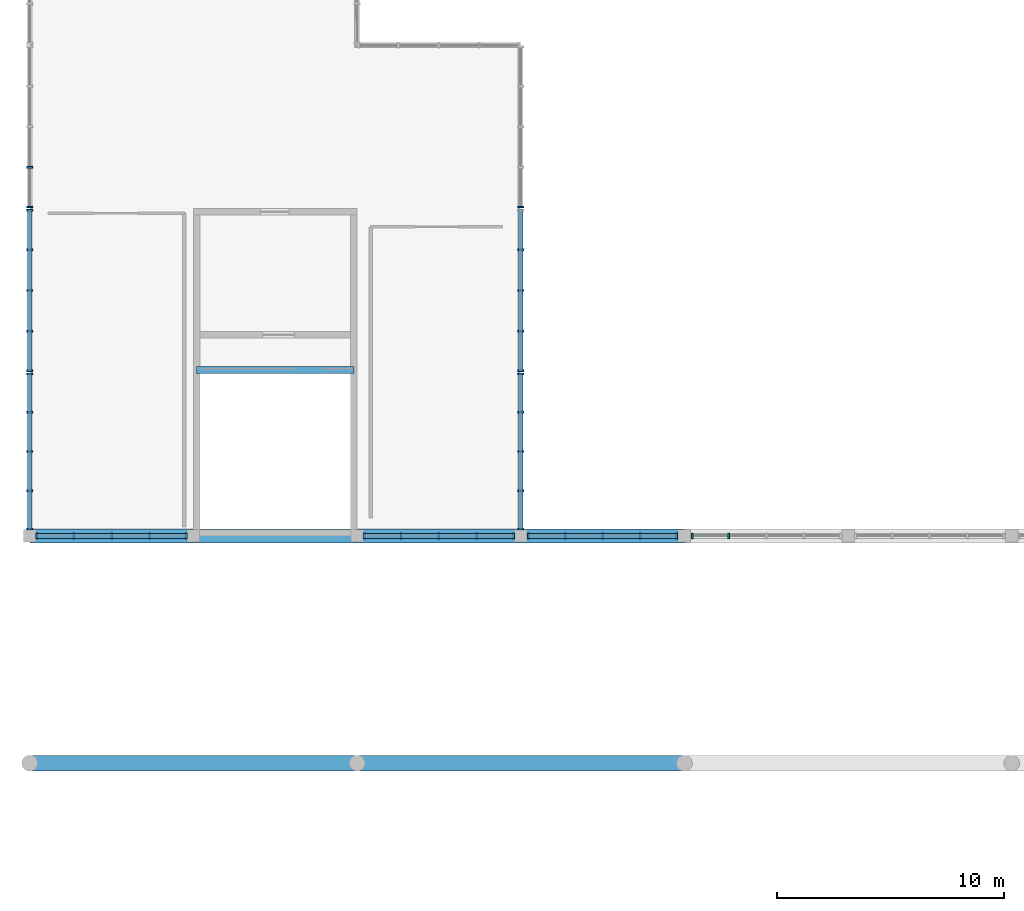
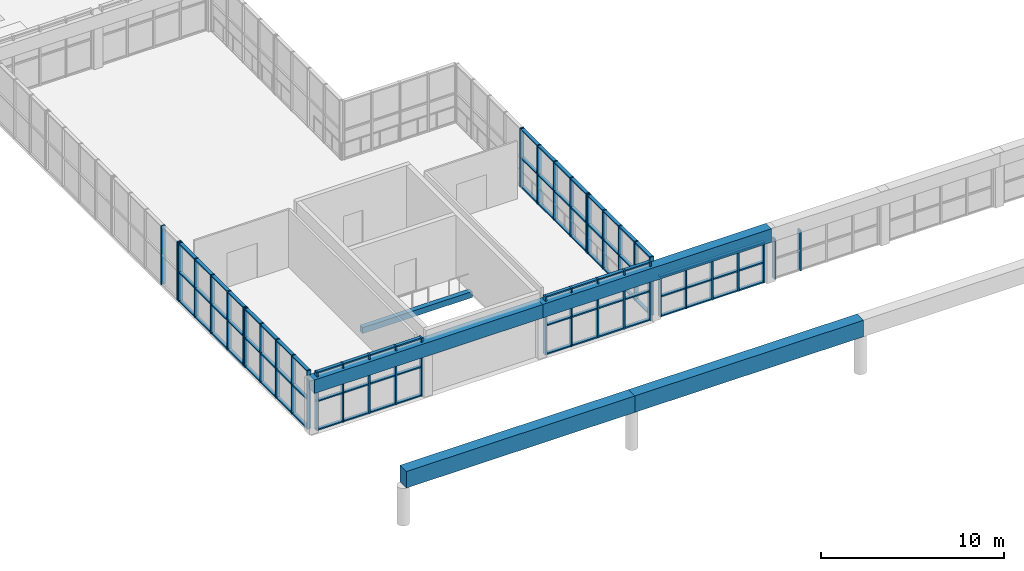
# One storey, part 7 of 83: 60 members, 5 beams, 10 elements without a shape of their own.
"""IFC4 building model written with IfcOpenShell, lengths in metres."""

from ifc_helpers import new_model, si_unit, direction, frame, origin, origin_2d, place, context, subcontext, project, spatial, rectangle, extrude, material, material_profile, profile_set, type_object, element, aggregate, save


model = new_model("IFC4")

# Units and contexts
model_context = context("Model", 3, precision=1e-05, world=origin(), true_north=direction((0.0, 1.0)))
body_context = subcontext(model_context, "Body", "Model", "MODEL_VIEW")
ifc_project = project(units=[si_unit("LENGTHUNIT", "METRE"), si_unit("AREAUNIT", "SQUARE_METRE"), si_unit("VOLUMEUNIT", "CUBIC_METRE"), si_unit("PLANEANGLEUNIT", "RADIAN"), si_unit("MASSUNIT", "GRAM", prefix="KILO")], contexts=[model_context])

# Site, building, storey
site_placement = place(None, origin())
site = spatial("IfcSite", under=ifc_project, at=site_placement, CompositionType="ELEMENT")
building_placement = place(site_placement, origin())
building = spatial("IfcBuilding", under=site, at=building_placement, Name="Leyfeld Transit Interchange", CompositionType="ELEMENT")
storey_placement = place(building_placement, frame((0.0, 0.0, 5.39990234375)))
storey = spatial("IfcBuildingStorey", under=building, at=storey_placement, Name="L01", CompositionType="ELEMENT", Elevation=5.39990234375)

# Beams
ifc_material_1 = material(Name="Concrete C40/50", Category="concrete")
ifc_material_profile_1 = material_profile(ifc_material_1, rectangle(XDim=0.699951171875, YDim=1.10009765625, at=origin_2d()), Name="RC 1100x700")
ifc_profile_set_1 = profile_set([ifc_material_profile_1], Name="Concrete C40/50")
beam_type_1 = type_object("IfcBeamType", Name="BM-RC-1100x700", PredefinedType="SPANDREL", material=ifc_profile_set_1)
beam_1_placement = place(storey_placement, frame((0.0, 4.39990234375, 3.050048828125), z_axis=(1.0, 0.0, 0.0), x_axis=(0.0, 1.0, 0.0)))
element("IfcBeam", 1, at=beam_1_placement, inside=storey, type_object=beam_type_1, Name="Concourse Vault Edge Beam S Bay 1", PredefinedType="SPANDREL", context=body_context, shape_type="SweptSolid", body=[
    extrude(rectangle(XDim=0.699951171875, YDim=1.10009765625, at=origin_2d()), origin(), (0.0, 0.0, 1.0), 14.39990234375),
])
beam_2_placement = place(storey_placement, frame((14.39990234375, 4.39990234375, 3.050048828125), z_axis=(1.0, 0.0, 0.0), x_axis=(0.0, 1.0, 0.0)))
element("IfcBeam", 2, at=beam_2_placement, inside=storey, type_object=beam_type_1, Name="Concourse Vault Edge Beam S Bay 2", PredefinedType="SPANDREL", context=body_context, shape_type="SweptSolid", body=[
    extrude(rectangle(XDim=0.699951171875, YDim=1.10009765625, at=origin_2d()), origin(), (0.0, 0.0, 1.0), 14.400146484375),
])
ifc_material_2 = material(Name="Concrete C35/45", Category="concrete")
ifc_material_profile_2 = material_profile(ifc_material_2, rectangle(XDim=0.300048828125, YDim=0.39990234375, at=origin_2d()), Name="RC 400x300")
ifc_profile_set_2 = profile_set([ifc_material_profile_2], Name="Concrete C35/45")
beam_type_2 = type_object("IfcBeamType", Name="BM-RC-400x300", PredefinedType="LINTEL", material=ifc_profile_set_2)
beam_3_placement = place(storey_placement, frame((7.340087890625, 21.699951171875, -0.199951171875), z_axis=(1.0, 0.0, 0.0), x_axis=(0.0, 1.0, 0.0)))
element("IfcBeam", 3, at=beam_3_placement, inside=storey, type_object=beam_type_2, Name="Core K6 Floor Landing Corbel L01", PredefinedType="LINTEL", context=body_context, shape_type="SweptSolid", body=[
    extrude(rectangle(XDim=0.300048828125, YDim=0.39990234375, at=origin_2d()), origin(), (0.0, 0.0, 1.0), 6.919921875),
])
ifc_material_profile_3 = material_profile(ifc_material_2, rectangle(XDim=0.60009765625, YDim=0.89990234375, at=origin_2d()), Name="RC 900x600")
ifc_profile_set_3 = profile_set([ifc_material_profile_3], Name="Concrete C35/45")
beam_type_3 = type_object("IfcBeamType", Name="BM-RC-900x600", PredefinedType="JOIST", material=ifc_profile_set_3)
beam_4_placement = place(storey_placement, frame((0.0, 14.39990234375, 3.150146484375), z_axis=(1.0, 0.0, 0.0), x_axis=(0.0, 1.0, 0.0)))
element("IfcBeam", 4, at=beam_4_placement, inside=storey, type_object=beam_type_3, Name="Concourse Hall Flank Beam HS Bay 1", PredefinedType="JOIST", context=body_context, shape_type="SweptSolid", body=[
    extrude(rectangle(XDim=0.60009765625, YDim=0.89990234375, at=origin_2d()), origin(), (0.0, 0.0, 1.0), 14.39990234375),
])
beam_5_placement = place(storey_placement, frame((14.39990234375, 14.39990234375, 3.150146484375), z_axis=(1.0, 0.0, 0.0), x_axis=(0.0, 1.0, 0.0)))
element("IfcBeam", 5, at=beam_5_placement, inside=storey, type_object=beam_type_3, Name="Concourse Hall Flank Beam HS Bay 2", PredefinedType="JOIST", context=body_context, shape_type="SweptSolid", body=[
    extrude(rectangle(XDim=0.60009765625, YDim=0.89990234375, at=origin_2d()), origin(), (0.0, 0.0, 1.0), 14.400146484375),
])

# Curtain wall, members
ifc_material_3 = material(Name="Anodised aluminium EN AW-6060 T66", Category="aluminium")
curtain_wall_type = type_object("IfcCurtainWallType", Name="CW-SYS-ARC-7200", PredefinedType="NOTDEFINED", material=ifc_material_3)
curtain_wall_1_placement = place(storey_placement, origin())
curtain_wall_1 = element("IfcCurtainWall", 6, at=curtain_wall_1_placement, inside=storey, type_object=curtain_wall_type, Name="Curtain Wall CW-L01-051", PredefinedType="NOTDEFINED")
ifc_material_profile_4 = material_profile(ifc_material_3, rectangle(XDim=0.0849609375, YDim=0.260009765625, at=origin_2d()), Name="CW-M 85x260")
ifc_profile_set_4 = profile_set([ifc_material_profile_4], Name="Anodised aluminium EN AW-6060 T66")
member_type_1 = type_object("IfcMemberType", Name="CW-MUL-220x80", PredefinedType="MULLION", material=ifc_profile_set_4)
member_1_placement = place(storey_placement, frame((6.892578125, 14.39990234375, 0.0), z_axis=(0.0, 0.0, 1.0), x_axis=(-1.0, 0.0, 0.0)))
member_1 = element("IfcMember", 7, at=member_1_placement, type_object=member_type_1, Name="Curtain Mullion CW-L01-051-M01", PredefinedType="MULLION", context=body_context, shape_type="SweptSolid", body=[
    extrude(rectangle(XDim=0.0849609375, YDim=0.260009765625, at=origin_2d()), origin(), (0.0, 0.0, 1.0), 3.900146484375),
])
member_2_placement = place(storey_placement, frame((5.267578125, 14.39990234375, 0.0), z_axis=(0.0, 0.0, 1.0), x_axis=(-1.0, 0.0, 0.0)))
member_2 = element("IfcMember", 8, at=member_2_placement, type_object=member_type_1, Name="Curtain Mullion CW-L01-051-M02", PredefinedType="MULLION", context=body_context, shape_type="SweptSolid", body=[
    extrude(rectangle(XDim=0.0849609375, YDim=0.260009765625, at=origin_2d()), origin(), (0.0, 0.0, 1.0), 3.900146484375),
])
member_3_placement = place(storey_placement, frame((3.60009765625, 14.39990234375, 0.0), z_axis=(0.0, 0.0, 1.0), x_axis=(-1.0, 0.0, 0.0)))
member_3 = element("IfcMember", 9, at=member_3_placement, type_object=member_type_1, Name="Curtain Mullion CW-L01-051-M03", PredefinedType="MULLION", context=body_context, shape_type="SweptSolid", body=[
    extrude(rectangle(XDim=0.0849609375, YDim=0.260009765625, at=origin_2d()), origin(), (0.0, 0.0, 1.0), 3.900146484375),
])
member_4_placement = place(storey_placement, frame((1.9326171875, 14.39990234375, 0.0), z_axis=(0.0, 0.0, 1.0), x_axis=(-1.0, 0.0, 0.0)))
member_4 = element("IfcMember", 10, at=member_4_placement, type_object=member_type_1, Name="Curtain Mullion CW-L01-051-M04", PredefinedType="MULLION", context=body_context, shape_type="SweptSolid", body=[
    extrude(rectangle(XDim=0.0849609375, YDim=0.260009765625, at=origin_2d()), origin(), (0.0, 0.0, 1.0), 3.900146484375),
])
member_5_placement = place(storey_placement, frame((0.3076171875, 14.39990234375, 0.0), z_axis=(0.0, 0.0, 1.0), x_axis=(-1.0, 0.0, 0.0)))
member_5 = element("IfcMember", 11, at=member_5_placement, type_object=member_type_1, Name="Curtain Mullion CW-L01-051-M05", PredefinedType="MULLION", context=body_context, shape_type="SweptSolid", body=[
    extrude(rectangle(XDim=0.0849609375, YDim=0.260009765625, at=origin_2d()), origin(), (0.0, 0.0, 1.0), 3.900146484375),
])

curtain_wall_2_placement = place(storey_placement, origin())
curtain_wall_2 = element("IfcCurtainWall", 12, at=curtain_wall_2_placement, inside=storey, type_object=curtain_wall_type, Name="Curtain Wall CW-L01-052", PredefinedType="NOTDEFINED")
member_6_placement = place(storey_placement, frame((0.0, 14.70751953125, 0.0), z_axis=(0.0, 0.0, 1.0), x_axis=(0.0, 1.0, 0.0)))
member_6 = element("IfcMember", 13, at=member_6_placement, type_object=member_type_1, Name="Curtain Mullion CW-L01-052-M01", PredefinedType="MULLION", context=body_context, shape_type="SweptSolid", body=[
    extrude(rectangle(XDim=0.0849609375, YDim=0.260009765625, at=origin_2d()), origin(), (0.0, 0.0, 1.0), 3.900146484375),
])
member_7_placement = place(storey_placement, frame((0.0, 16.391357421875, 0.0), z_axis=(0.0, 0.0, 1.0), x_axis=(0.0, 1.0, 0.0)))
member_7 = element("IfcMember", 14, at=member_7_placement, type_object=member_type_1, Name="Curtain Mullion CW-L01-052-M02", PredefinedType="MULLION", context=body_context, shape_type="SweptSolid", body=[
    extrude(rectangle(XDim=0.0849609375, YDim=0.260009765625, at=origin_2d()), origin(), (0.0, 0.0, 1.0), 3.900146484375),
])
member_8_placement = place(storey_placement, frame((0.0, 18.117431640625, 0.0), z_axis=(0.0, 0.0, 1.0), x_axis=(0.0, 1.0, 0.0)))
member_8 = element("IfcMember", 15, at=member_8_placement, type_object=member_type_1, Name="Curtain Mullion CW-L01-052-M03", PredefinedType="MULLION", context=body_context, shape_type="SweptSolid", body=[
    extrude(rectangle(XDim=0.0849609375, YDim=0.260009765625, at=origin_2d()), origin(), (0.0, 0.0, 1.0), 3.900146484375),
])
member_9_placement = place(storey_placement, frame((0.0, 19.84375, 0.0), z_axis=(0.0, 0.0, 1.0), x_axis=(0.0, 1.0, 0.0)))
member_9 = element("IfcMember", 16, at=member_9_placement, type_object=member_type_1, Name="Curtain Mullion CW-L01-052-M04", PredefinedType="MULLION", context=body_context, shape_type="SweptSolid", body=[
    extrude(rectangle(XDim=0.0849609375, YDim=0.260009765625, at=origin_2d()), origin(), (0.0, 0.0, 1.0), 3.900146484375),
])
member_10_placement = place(storey_placement, frame((0.0, 21.527587890625, 0.0), z_axis=(0.0, 0.0, 1.0), x_axis=(0.0, 1.0, 0.0)))
member_10 = element("IfcMember", 17, at=member_10_placement, type_object=member_type_1, Name="Curtain Mullion CW-L01-052-M05", PredefinedType="MULLION", context=body_context, shape_type="SweptSolid", body=[
    extrude(rectangle(XDim=0.0849609375, YDim=0.260009765625, at=origin_2d()), origin(), (0.0, 0.0, 1.0), 3.900146484375),
])

curtain_wall_3_placement = place(storey_placement, origin())
curtain_wall_3 = element("IfcCurtainWall", 18, at=curtain_wall_3_placement, inside=storey, type_object=curtain_wall_type, Name="Curtain Wall CW-L01-053", PredefinedType="NOTDEFINED")
member_11_placement = place(storey_placement, frame((0.0, 21.672607421875, 0.0), z_axis=(0.0, 0.0, 1.0), x_axis=(0.0, 1.0, 0.0)))
member_11 = element("IfcMember", 19, at=member_11_placement, type_object=member_type_1, Name="Curtain Mullion CW-L01-053-M01", PredefinedType="MULLION", context=body_context, shape_type="SweptSolid", body=[
    extrude(rectangle(XDim=0.0849609375, YDim=0.260009765625, at=origin_2d()), origin(), (0.0, 0.0, 1.0), 3.900146484375),
])
member_12_placement = place(storey_placement, frame((0.0, 23.4150390625, 0.0), z_axis=(0.0, 0.0, 1.0), x_axis=(0.0, 1.0, 0.0)))
member_12 = element("IfcMember", 20, at=member_12_placement, type_object=member_type_1, Name="Curtain Mullion CW-L01-053-M02", PredefinedType="MULLION", context=body_context, shape_type="SweptSolid", body=[
    extrude(rectangle(XDim=0.0849609375, YDim=0.260009765625, at=origin_2d()), origin(), (0.0, 0.0, 1.0), 3.900146484375),
])
member_13_placement = place(storey_placement, frame((0.0, 25.199951171875, 0.0), z_axis=(0.0, 0.0, 1.0), x_axis=(0.0, 1.0, 0.0)))
member_13 = element("IfcMember", 21, at=member_13_placement, type_object=member_type_1, Name="Curtain Mullion CW-L01-053-M03", PredefinedType="MULLION", context=body_context, shape_type="SweptSolid", body=[
    extrude(rectangle(XDim=0.0849609375, YDim=0.260009765625, at=origin_2d()), origin(), (0.0, 0.0, 1.0), 3.900146484375),
])
member_14_placement = place(storey_placement, frame((0.0, 26.985107421875, 0.0), z_axis=(0.0, 0.0, 1.0), x_axis=(0.0, 1.0, 0.0)))
member_14 = element("IfcMember", 22, at=member_14_placement, type_object=member_type_1, Name="Curtain Mullion CW-L01-053-M04", PredefinedType="MULLION", context=body_context, shape_type="SweptSolid", body=[
    extrude(rectangle(XDim=0.0849609375, YDim=0.260009765625, at=origin_2d()), origin(), (0.0, 0.0, 1.0), 3.900146484375),
])
member_15_placement = place(storey_placement, frame((0.0, 28.7275390625, 0.0), z_axis=(0.0, 0.0, 1.0), x_axis=(0.0, 1.0, 0.0)))
member_15 = element("IfcMember", 23, at=member_15_placement, type_object=member_type_1, Name="Curtain Mullion CW-L01-053-M05", PredefinedType="MULLION", context=body_context, shape_type="SweptSolid", body=[
    extrude(rectangle(XDim=0.0849609375, YDim=0.260009765625, at=origin_2d()), origin(), (0.0, 0.0, 1.0), 3.900146484375),
])

curtain_wall_4_placement = place(storey_placement, origin())
curtain_wall_4 = element("IfcCurtainWall", 24, at=curtain_wall_4_placement, inside=storey, type_object=curtain_wall_type, Name="Curtain Wall CW-L01-054", PredefinedType="NOTDEFINED")
member_16_placement = place(storey_placement, frame((0.0, 28.87255859375, 0.0), z_axis=(0.0, 0.0, 1.0), x_axis=(0.0, 1.0, 0.0)))
member_16 = element("IfcMember", 25, at=member_16_placement, type_object=member_type_1, Name="Curtain Mullion CW-L01-054-M01", PredefinedType="MULLION", context=body_context, shape_type="SweptSolid", body=[
    extrude(rectangle(XDim=0.0849609375, YDim=0.260009765625, at=origin_2d()), origin(), (0.0, 0.0, 1.0), 3.900146484375),
])
member_17_placement = place(storey_placement, frame((0.0, 30.614990234375, 0.0), z_axis=(0.0, 0.0, 1.0), x_axis=(0.0, 1.0, 0.0)))
member_17 = element("IfcMember", 26, at=member_17_placement, type_object=member_type_1, Name="Curtain Mullion CW-L01-054-M02", PredefinedType="MULLION", context=body_context, shape_type="SweptSolid", body=[
    extrude(rectangle(XDim=0.0849609375, YDim=0.260009765625, at=origin_2d()), origin(), (0.0, 0.0, 1.0), 3.900146484375),
])
aggregate(curtain_wall_4, [member_16, member_17])

# Curtain wall, member
curtain_wall_5_placement = place(storey_placement, origin())
curtain_wall_5 = element("IfcCurtainWall", 27, at=curtain_wall_5_placement, inside=storey, type_object=curtain_wall_type, Name="Curtain Wall CW-L01-062", PredefinedType="NOTDEFINED")
member_18_placement = place(storey_placement, frame((21.60009765625, 28.87255859375, 0.0), z_axis=(0.0, 0.0, 1.0), x_axis=(0.0, -1.0, 0.0)))
member_18 = element("IfcMember", 28, at=member_18_placement, type_object=member_type_1, Name="Curtain Mullion CW-L01-062-M05", PredefinedType="MULLION", context=body_context, shape_type="SweptSolid", body=[
    extrude(rectangle(XDim=0.0849609375, YDim=0.260009765625, at=origin_2d()), origin(), (0.0, 0.0, 1.0), 3.900146484375),
])
aggregate(curtain_wall_5, [member_18])

# Curtain wall, members
curtain_wall_6_placement = place(storey_placement, origin())
curtain_wall_6 = element("IfcCurtainWall", 29, at=curtain_wall_6_placement, inside=storey, type_object=curtain_wall_type, Name="Curtain Wall CW-L01-063", PredefinedType="NOTDEFINED")
member_19_placement = place(storey_placement, frame((21.60009765625, 26.985107421875, 0.0), z_axis=(0.0, 0.0, 1.0), x_axis=(0.0, -1.0, 0.0)))
member_19 = element("IfcMember", 30, at=member_19_placement, type_object=member_type_1, Name="Curtain Mullion CW-L01-063-M02", PredefinedType="MULLION", context=body_context, shape_type="SweptSolid", body=[
    extrude(rectangle(XDim=0.0849609375, YDim=0.260009765625, at=origin_2d()), origin(), (0.0, 0.0, 1.0), 3.900146484375),
])
member_20_placement = place(storey_placement, frame((21.60009765625, 25.199951171875, 0.0), z_axis=(0.0, 0.0, 1.0), x_axis=(0.0, -1.0, 0.0)))
member_20 = element("IfcMember", 31, at=member_20_placement, type_object=member_type_1, Name="Curtain Mullion CW-L01-063-M03", PredefinedType="MULLION", context=body_context, shape_type="SweptSolid", body=[
    extrude(rectangle(XDim=0.0849609375, YDim=0.260009765625, at=origin_2d()), origin(), (0.0, 0.0, 1.0), 3.900146484375),
])
member_21_placement = place(storey_placement, frame((21.60009765625, 23.4150390625, 0.0), z_axis=(0.0, 0.0, 1.0), x_axis=(0.0, -1.0, 0.0)))
member_21 = element("IfcMember", 32, at=member_21_placement, type_object=member_type_1, Name="Curtain Mullion CW-L01-063-M04", PredefinedType="MULLION", context=body_context, shape_type="SweptSolid", body=[
    extrude(rectangle(XDim=0.0849609375, YDim=0.260009765625, at=origin_2d()), origin(), (0.0, 0.0, 1.0), 3.900146484375),
])
member_22_placement = place(storey_placement, frame((21.60009765625, 21.672607421875, 0.0), z_axis=(0.0, 0.0, 1.0), x_axis=(0.0, -1.0, 0.0)))
member_22 = element("IfcMember", 33, at=member_22_placement, type_object=member_type_1, Name="Curtain Mullion CW-L01-063-M05", PredefinedType="MULLION", context=body_context, shape_type="SweptSolid", body=[
    extrude(rectangle(XDim=0.0849609375, YDim=0.260009765625, at=origin_2d()), origin(), (0.0, 0.0, 1.0), 3.900146484375),
])

curtain_wall_7_placement = place(storey_placement, origin())
curtain_wall_7 = element("IfcCurtainWall", 34, at=curtain_wall_7_placement, inside=storey, type_object=curtain_wall_type, Name="Curtain Wall CW-L01-064", PredefinedType="NOTDEFINED")
member_23_placement = place(storey_placement, frame((21.60009765625, 21.527587890625, 0.0), z_axis=(0.0, 0.0, 1.0), x_axis=(0.0, -1.0, 0.0)))
member_23 = element("IfcMember", 35, at=member_23_placement, type_object=member_type_1, Name="Curtain Mullion CW-L01-064-M01", PredefinedType="MULLION", context=body_context, shape_type="SweptSolid", body=[
    extrude(rectangle(XDim=0.0849609375, YDim=0.260009765625, at=origin_2d()), origin(), (0.0, 0.0, 1.0), 3.900146484375),
])
member_24_placement = place(storey_placement, frame((21.60009765625, 19.84375, 0.0), z_axis=(0.0, 0.0, 1.0), x_axis=(0.0, -1.0, 0.0)))
member_24 = element("IfcMember", 36, at=member_24_placement, type_object=member_type_1, Name="Curtain Mullion CW-L01-064-M02", PredefinedType="MULLION", context=body_context, shape_type="SweptSolid", body=[
    extrude(rectangle(XDim=0.0849609375, YDim=0.260009765625, at=origin_2d()), origin(), (0.0, 0.0, 1.0), 3.900146484375),
])
member_25_placement = place(storey_placement, frame((21.60009765625, 18.117431640625, 0.0), z_axis=(0.0, 0.0, 1.0), x_axis=(0.0, -1.0, 0.0)))
member_25 = element("IfcMember", 37, at=member_25_placement, type_object=member_type_1, Name="Curtain Mullion CW-L01-064-M03", PredefinedType="MULLION", context=body_context, shape_type="SweptSolid", body=[
    extrude(rectangle(XDim=0.0849609375, YDim=0.260009765625, at=origin_2d()), origin(), (0.0, 0.0, 1.0), 3.900146484375),
])
member_26_placement = place(storey_placement, frame((21.60009765625, 16.39111328125, 0.0), z_axis=(0.0, 0.0, 1.0), x_axis=(0.0, -1.0, 0.0)))
member_26 = element("IfcMember", 38, at=member_26_placement, type_object=member_type_1, Name="Curtain Mullion CW-L01-064-M04", PredefinedType="MULLION", context=body_context, shape_type="SweptSolid", body=[
    extrude(rectangle(XDim=0.0849609375, YDim=0.260009765625, at=origin_2d()), origin(), (0.0, 0.0, 1.0), 3.900146484375),
])
member_27_placement = place(storey_placement, frame((21.60009765625, 14.70751953125, 0.0), z_axis=(0.0, 0.0, 1.0), x_axis=(0.0, -1.0, 0.0)))
member_27 = element("IfcMember", 39, at=member_27_placement, type_object=member_type_1, Name="Curtain Mullion CW-L01-064-M05", PredefinedType="MULLION", context=body_context, shape_type="SweptSolid", body=[
    extrude(rectangle(XDim=0.0849609375, YDim=0.260009765625, at=origin_2d()), origin(), (0.0, 0.0, 1.0), 3.900146484375),
])

curtain_wall_8_placement = place(storey_placement, origin())
curtain_wall_8 = element("IfcCurtainWall", 40, at=curtain_wall_8_placement, inside=storey, type_object=curtain_wall_type, Name="Curtain Wall CW-L01-065", PredefinedType="NOTDEFINED")
member_28_placement = place(storey_placement, frame((21.29248046875, 14.39990234375, 0.0), z_axis=(0.0, 0.0, 1.0), x_axis=(-1.0, 0.0, 0.0)))
member_28 = element("IfcMember", 41, at=member_28_placement, type_object=member_type_1, Name="Curtain Mullion CW-L01-065-M01", PredefinedType="MULLION", context=body_context, shape_type="SweptSolid", body=[
    extrude(rectangle(XDim=0.0849609375, YDim=0.260009765625, at=origin_2d()), origin(), (0.0, 0.0, 1.0), 3.900146484375),
])
member_29_placement = place(storey_placement, frame((19.66748046875, 14.39990234375, 0.0), z_axis=(0.0, 0.0, 1.0), x_axis=(-1.0, 0.0, 0.0)))
member_29 = element("IfcMember", 42, at=member_29_placement, type_object=member_type_1, Name="Curtain Mullion CW-L01-065-M02", PredefinedType="MULLION", context=body_context, shape_type="SweptSolid", body=[
    extrude(rectangle(XDim=0.0849609375, YDim=0.260009765625, at=origin_2d()), origin(), (0.0, 0.0, 1.0), 3.900146484375),
])
member_30_placement = place(storey_placement, frame((18.0, 14.39990234375, 0.0), z_axis=(0.0, 0.0, 1.0), x_axis=(-1.0, 0.0, 0.0)))
member_30 = element("IfcMember", 43, at=member_30_placement, type_object=member_type_1, Name="Curtain Mullion CW-L01-065-M03", PredefinedType="MULLION", context=body_context, shape_type="SweptSolid", body=[
    extrude(rectangle(XDim=0.0849609375, YDim=0.260009765625, at=origin_2d()), origin(), (0.0, 0.0, 1.0), 3.900146484375),
])
member_31_placement = place(storey_placement, frame((16.33251953125, 14.39990234375, 0.0), z_axis=(0.0, 0.0, 1.0), x_axis=(-1.0, 0.0, 0.0)))
member_31 = element("IfcMember", 44, at=member_31_placement, type_object=member_type_1, Name="Curtain Mullion CW-L01-065-M04", PredefinedType="MULLION", context=body_context, shape_type="SweptSolid", body=[
    extrude(rectangle(XDim=0.0849609375, YDim=0.260009765625, at=origin_2d()), origin(), (0.0, 0.0, 1.0), 3.900146484375),
])
member_32_placement = place(storey_placement, frame((14.70751953125, 14.39990234375, 0.0), z_axis=(0.0, 0.0, 1.0), x_axis=(-1.0, 0.0, 0.0)))
member_32 = element("IfcMember", 45, at=member_32_placement, type_object=member_type_1, Name="Curtain Mullion CW-L01-065-M05", PredefinedType="MULLION", context=body_context, shape_type="SweptSolid", body=[
    extrude(rectangle(XDim=0.0849609375, YDim=0.260009765625, at=origin_2d()), origin(), (0.0, 0.0, 1.0), 3.900146484375),
])

curtain_wall_9_placement = place(storey_placement, origin())
curtain_wall_9 = element("IfcCurtainWall", 46, at=curtain_wall_9_placement, inside=storey, type_object=curtain_wall_type, Name="Curtain Wall CW-L01-CLR-152", PredefinedType="NOTDEFINED")
member_33_placement = place(storey_placement, frame((21.9423828125, 14.39990234375, 0.0), z_axis=(0.0, 0.0, 1.0), x_axis=(1.0, 0.0, 0.0)))
member_33 = element("IfcMember", 47, at=member_33_placement, type_object=member_type_1, Name="Curtain Mullion CW-L01-CLR-152-M01", PredefinedType="MULLION", context=body_context, shape_type="SweptSolid", body=[
    extrude(rectangle(XDim=0.0849609375, YDim=0.260009765625, at=origin_2d()), origin(), (0.0, 0.0, 1.0), 2.7001953125),
])
member_34_placement = place(storey_placement, frame((23.550048828125, 14.39990234375, 0.0), z_axis=(0.0, 0.0, 1.0), x_axis=(1.0, 0.0, 0.0)))
member_34 = element("IfcMember", 48, at=member_34_placement, type_object=member_type_1, Name="Curtain Mullion CW-L01-CLR-152-M02", PredefinedType="MULLION", context=body_context, shape_type="SweptSolid", body=[
    extrude(rectangle(XDim=0.0849609375, YDim=0.260009765625, at=origin_2d()), origin(), (0.0, 0.0, 1.0), 2.7001953125),
])
member_35_placement = place(storey_placement, frame((25.199951171875, 14.39990234375, 0.0), z_axis=(0.0, 0.0, 1.0), x_axis=(1.0, 0.0, 0.0)))
member_35 = element("IfcMember", 49, at=member_35_placement, type_object=member_type_1, Name="Curtain Mullion CW-L01-CLR-152-M03", PredefinedType="MULLION", context=body_context, shape_type="SweptSolid", body=[
    extrude(rectangle(XDim=0.0849609375, YDim=0.260009765625, at=origin_2d()), origin(), (0.0, 0.0, 1.0), 2.7001953125),
])
member_36_placement = place(storey_placement, frame((26.85009765625, 14.39990234375, 0.0), z_axis=(0.0, 0.0, 1.0), x_axis=(1.0, 0.0, 0.0)))
member_36 = element("IfcMember", 50, at=member_36_placement, type_object=member_type_1, Name="Curtain Mullion CW-L01-CLR-152-M04", PredefinedType="MULLION", context=body_context, shape_type="SweptSolid", body=[
    extrude(rectangle(XDim=0.0849609375, YDim=0.260009765625, at=origin_2d()), origin(), (0.0, 0.0, 1.0), 2.7001953125),
])
member_37_placement = place(storey_placement, frame((28.45751953125, 14.39990234375, 0.0), z_axis=(0.0, 0.0, 1.0), x_axis=(1.0, 0.0, 0.0)))
member_37 = element("IfcMember", 51, at=member_37_placement, type_object=member_type_1, Name="Curtain Mullion CW-L01-CLR-152-M05", PredefinedType="MULLION", context=body_context, shape_type="SweptSolid", body=[
    extrude(rectangle(XDim=0.0849609375, YDim=0.260009765625, at=origin_2d()), origin(), (0.0, 0.0, 1.0), 2.7001953125),
])

curtain_wall_10_placement = place(storey_placement, origin())
curtain_wall_10 = element("IfcCurtainWall", 52, at=curtain_wall_10_placement, inside=storey, type_object=curtain_wall_type, Name="Curtain Wall CW-L01-CLR-153", PredefinedType="NOTDEFINED")
member_38_placement = place(storey_placement, frame((29.142578125, 14.39990234375, 0.0), z_axis=(0.0, 0.0, 1.0), x_axis=(1.0, 0.0, 0.0)))
member_38 = element("IfcMember", 53, at=member_38_placement, type_object=member_type_1, Name="Curtain Mullion CW-L01-CLR-153-M01", PredefinedType="MULLION", context=body_context, shape_type="SweptSolid", body=[
    extrude(rectangle(XDim=0.0849609375, YDim=0.260009765625, at=origin_2d()), origin(), (0.0, 0.0, 1.0), 2.7001953125),
])
member_39_placement = place(storey_placement, frame((30.75, 14.39990234375, 0.0), z_axis=(0.0, 0.0, 1.0), x_axis=(1.0, 0.0, 0.0)))
member_39 = element("IfcMember", 54, at=member_39_placement, type_object=member_type_1, Name="Curtain Mullion CW-L01-CLR-153-M02", PredefinedType="MULLION", context=body_context, shape_type="SweptSolid", body=[
    extrude(rectangle(XDim=0.0849609375, YDim=0.260009765625, at=origin_2d()), origin(), (0.0, 0.0, 1.0), 2.7001953125),
])
aggregate(curtain_wall_10, [member_38, member_39])

# Member
ifc_material_profile_5 = material_profile(ifc_material_3, rectangle(XDim=0.2099609375, YDim=0.0849609375, at=origin_2d()), Name="CW-TRN-200x80")
ifc_profile_set_5 = profile_set([ifc_material_profile_5], Name="Anodised aluminium EN AW-6060 T66")
member_type_2 = type_object("IfcMemberType", Name="CW-TRN-200x80", PredefinedType="USERDEFINED", material=ifc_profile_set_5)
member_40_placement = place(storey_placement, frame((6.93505859375, 14.39990234375, 0.04248046875), z_axis=(-1.0, 0.0, 0.0), x_axis=(0.0, -1.0, 0.0)))
member_40 = element("IfcMember", 55, at=member_40_placement, type_object=member_type_2, Name="Curtain Transom CW-L01-051-T01", ObjectType="TRANSOM", PredefinedType="USERDEFINED", context=body_context, shape_type="SweptSolid", body=[
    extrude(rectangle(XDim=0.2099609375, YDim=0.0849609375, at=origin_2d()), origin(), (0.0, 0.0, 1.0), 6.670166015625),
])

member_41_placement = place(storey_placement, frame((6.93505859375, 14.39990234375, 1.9501953125), z_axis=(-1.0, 0.0, 0.0), x_axis=(0.0, -1.0, 0.0)))
member_41 = element("IfcMember", 56, at=member_41_placement, type_object=member_type_2, Name="Curtain Transom CW-L01-051-T02", ObjectType="TRANSOM", PredefinedType="USERDEFINED", context=body_context, shape_type="SweptSolid", body=[
    extrude(rectangle(XDim=0.2099609375, YDim=0.0849609375, at=origin_2d()), origin(), (0.0, 0.0, 1.0), 6.670166015625),
])

member_42_placement = place(storey_placement, frame((6.93505859375, 14.39990234375, 3.857666015625), z_axis=(-1.0, 0.0, 0.0), x_axis=(0.0, -1.0, 0.0)))
member_42 = element("IfcMember", 57, at=member_42_placement, type_object=member_type_2, Name="Curtain Transom CW-L01-051-T03", ObjectType="TRANSOM", PredefinedType="USERDEFINED", context=body_context, shape_type="SweptSolid", body=[
    extrude(rectangle(XDim=0.2099609375, YDim=0.0849609375, at=origin_2d()), origin(), (0.0, 0.0, 1.0), 6.670166015625),
])

aggregate(curtain_wall_1, [member_1, member_2, member_3, member_4, member_5, member_40, member_41, member_42])

member_43_placement = place(storey_placement, frame((0.0, 14.6650390625, 0.04248046875), z_axis=(0.0, 1.0, 0.0), x_axis=(-1.0, 0.0, 0.0)))
member_43 = element("IfcMember", 58, at=member_43_placement, type_object=member_type_2, Name="Curtain Transom CW-L01-052-T01", ObjectType="TRANSOM", PredefinedType="USERDEFINED", context=body_context, shape_type="SweptSolid", body=[
    extrude(rectangle(XDim=0.2099609375, YDim=0.0849609375, at=origin_2d()), origin(), (0.0, 0.0, 1.0), 6.905029296875),
])

member_44_placement = place(storey_placement, frame((0.0, 14.6650390625, 1.9501953125), z_axis=(0.0, 1.0, 0.0), x_axis=(-1.0, 0.0, 0.0)))
member_44 = element("IfcMember", 59, at=member_44_placement, type_object=member_type_2, Name="Curtain Transom CW-L01-052-T02", ObjectType="TRANSOM", PredefinedType="USERDEFINED", context=body_context, shape_type="SweptSolid", body=[
    extrude(rectangle(XDim=0.2099609375, YDim=0.0849609375, at=origin_2d()), origin(), (0.0, 0.0, 1.0), 6.905029296875),
])

member_45_placement = place(storey_placement, frame((0.0, 14.6650390625, 3.857666015625), z_axis=(0.0, 1.0, 0.0), x_axis=(-1.0, 0.0, 0.0)))
member_45 = element("IfcMember", 60, at=member_45_placement, type_object=member_type_2, Name="Curtain Transom CW-L01-052-T03", ObjectType="TRANSOM", PredefinedType="USERDEFINED", context=body_context, shape_type="SweptSolid", body=[
    extrude(rectangle(XDim=0.2099609375, YDim=0.0849609375, at=origin_2d()), origin(), (0.0, 0.0, 1.0), 6.905029296875),
])

aggregate(curtain_wall_2, [member_6, member_7, member_8, member_9, member_10, member_43, member_44, member_45])

member_46_placement = place(storey_placement, frame((0.0, 21.6298828125, 0.04248046875), z_axis=(0.0, 1.0, 0.0), x_axis=(-1.0, 0.0, 0.0)))
member_46 = element("IfcMember", 61, at=member_46_placement, type_object=member_type_2, Name="Curtain Transom CW-L01-053-T01", ObjectType="TRANSOM", PredefinedType="USERDEFINED", context=body_context, shape_type="SweptSolid", body=[
    extrude(rectangle(XDim=0.2099609375, YDim=0.0849609375, at=origin_2d()), origin(), (0.0, 0.0, 1.0), 7.14013671875),
])

member_47_placement = place(storey_placement, frame((0.0, 21.6298828125, 1.9501953125), z_axis=(0.0, 1.0, 0.0), x_axis=(-1.0, 0.0, 0.0)))
member_47 = element("IfcMember", 62, at=member_47_placement, type_object=member_type_2, Name="Curtain Transom CW-L01-053-T02", ObjectType="TRANSOM", PredefinedType="USERDEFINED", context=body_context, shape_type="SweptSolid", body=[
    extrude(rectangle(XDim=0.2099609375, YDim=0.0849609375, at=origin_2d()), origin(), (0.0, 0.0, 1.0), 7.14013671875),
])

member_48_placement = place(storey_placement, frame((0.0, 21.6298828125, 3.857666015625), z_axis=(0.0, 1.0, 0.0), x_axis=(-1.0, 0.0, 0.0)))
member_48 = element("IfcMember", 63, at=member_48_placement, type_object=member_type_2, Name="Curtain Transom CW-L01-053-T03", ObjectType="TRANSOM", PredefinedType="USERDEFINED", context=body_context, shape_type="SweptSolid", body=[
    extrude(rectangle(XDim=0.2099609375, YDim=0.0849609375, at=origin_2d()), origin(), (0.0, 0.0, 1.0), 7.14013671875),
])

aggregate(curtain_wall_3, [member_11, member_12, member_13, member_14, member_15, member_46, member_47, member_48])

member_49_placement = place(storey_placement, frame((21.60009765625, 28.77001953125, 0.04248046875), z_axis=(0.0, -1.0, 0.0), x_axis=(1.0, 0.0, 0.0)))
member_49 = element("IfcMember", 64, at=member_49_placement, type_object=member_type_2, Name="Curtain Transom CW-L01-063-T01", ObjectType="TRANSOM", PredefinedType="USERDEFINED", context=body_context, shape_type="SweptSolid", body=[
    extrude(rectangle(XDim=0.2099609375, YDim=0.0849609375, at=origin_2d()), origin(), (0.0, 0.0, 1.0), 7.14013671875),
])

member_50_placement = place(storey_placement, frame((21.60009765625, 28.77001953125, 1.9501953125), z_axis=(0.0, -1.0, 0.0), x_axis=(1.0, 0.0, 0.0)))
member_50 = element("IfcMember", 65, at=member_50_placement, type_object=member_type_2, Name="Curtain Transom CW-L01-063-T02", ObjectType="TRANSOM", PredefinedType="USERDEFINED", context=body_context, shape_type="SweptSolid", body=[
    extrude(rectangle(XDim=0.2099609375, YDim=0.0849609375, at=origin_2d()), origin(), (0.0, 0.0, 1.0), 7.14013671875),
])

member_51_placement = place(storey_placement, frame((21.60009765625, 28.77001953125, 3.857666015625), z_axis=(0.0, -1.0, 0.0), x_axis=(1.0, 0.0, 0.0)))
member_51 = element("IfcMember", 66, at=member_51_placement, type_object=member_type_2, Name="Curtain Transom CW-L01-063-T03", ObjectType="TRANSOM", PredefinedType="USERDEFINED", context=body_context, shape_type="SweptSolid", body=[
    extrude(rectangle(XDim=0.2099609375, YDim=0.0849609375, at=origin_2d()), origin(), (0.0, 0.0, 1.0), 7.14013671875),
])

aggregate(curtain_wall_6, [member_19, member_20, member_21, member_22, member_49, member_50, member_51])

member_52_placement = place(storey_placement, frame((21.60009765625, 21.570068359375, 0.04248046875), z_axis=(0.0, -1.0, 0.0), x_axis=(1.0, 0.0, 0.0)))
member_52 = element("IfcMember", 67, at=member_52_placement, type_object=member_type_2, Name="Curtain Transom CW-L01-064-T01", ObjectType="TRANSOM", PredefinedType="USERDEFINED", context=body_context, shape_type="SweptSolid", body=[
    extrude(rectangle(XDim=0.2099609375, YDim=0.0849609375, at=origin_2d()), origin(), (0.0, 0.0, 1.0), 6.905029296875),
])

member_53_placement = place(storey_placement, frame((21.60009765625, 21.570068359375, 1.9501953125), z_axis=(0.0, -1.0, 0.0), x_axis=(1.0, 0.0, 0.0)))
member_53 = element("IfcMember", 68, at=member_53_placement, type_object=member_type_2, Name="Curtain Transom CW-L01-064-T02", ObjectType="TRANSOM", PredefinedType="USERDEFINED", context=body_context, shape_type="SweptSolid", body=[
    extrude(rectangle(XDim=0.2099609375, YDim=0.0849609375, at=origin_2d()), origin(), (0.0, 0.0, 1.0), 6.905029296875),
])

member_54_placement = place(storey_placement, frame((21.60009765625, 21.570068359375, 3.857666015625), z_axis=(0.0, -1.0, 0.0), x_axis=(1.0, 0.0, 0.0)))
member_54 = element("IfcMember", 69, at=member_54_placement, type_object=member_type_2, Name="Curtain Transom CW-L01-064-T03", ObjectType="TRANSOM", PredefinedType="USERDEFINED", context=body_context, shape_type="SweptSolid", body=[
    extrude(rectangle(XDim=0.2099609375, YDim=0.0849609375, at=origin_2d()), origin(), (0.0, 0.0, 1.0), 6.905029296875),
])

aggregate(curtain_wall_7, [member_23, member_24, member_25, member_26, member_27, member_52, member_53, member_54])

member_55_placement = place(storey_placement, frame((21.3349609375, 14.39990234375, 0.04248046875), z_axis=(-1.0, 0.0, 0.0), x_axis=(0.0, -1.0, 0.0)))
member_55 = element("IfcMember", 70, at=member_55_placement, type_object=member_type_2, Name="Curtain Transom CW-L01-065-T01", ObjectType="TRANSOM", PredefinedType="USERDEFINED", context=body_context, shape_type="SweptSolid", body=[
    extrude(rectangle(XDim=0.2099609375, YDim=0.0849609375, at=origin_2d()), origin(), (0.0, 0.0, 1.0), 6.669921875),
])

member_56_placement = place(storey_placement, frame((21.3349609375, 14.39990234375, 1.9501953125), z_axis=(-1.0, 0.0, 0.0), x_axis=(0.0, -1.0, 0.0)))
member_56 = element("IfcMember", 71, at=member_56_placement, type_object=member_type_2, Name="Curtain Transom CW-L01-065-T02", ObjectType="TRANSOM", PredefinedType="USERDEFINED", context=body_context, shape_type="SweptSolid", body=[
    extrude(rectangle(XDim=0.2099609375, YDim=0.0849609375, at=origin_2d()), origin(), (0.0, 0.0, 1.0), 6.669921875),
])

member_57_placement = place(storey_placement, frame((21.3349609375, 14.39990234375, 3.857666015625), z_axis=(-1.0, 0.0, 0.0), x_axis=(0.0, -1.0, 0.0)))
member_57 = element("IfcMember", 72, at=member_57_placement, type_object=member_type_2, Name="Curtain Transom CW-L01-065-T03", ObjectType="TRANSOM", PredefinedType="USERDEFINED", context=body_context, shape_type="SweptSolid", body=[
    extrude(rectangle(XDim=0.2099609375, YDim=0.0849609375, at=origin_2d()), origin(), (0.0, 0.0, 1.0), 6.669921875),
])

aggregate(curtain_wall_8, [member_28, member_29, member_30, member_31, member_32, member_55, member_56, member_57])

member_58_placement = place(storey_placement, frame((21.89990234375, 14.39990234375, 0.04248046875), z_axis=(1.0, 0.0, 0.0), x_axis=(0.0, 1.0, 0.0)))
member_58 = element("IfcMember", 73, at=member_58_placement, type_object=member_type_2, Name="Curtain Transom CW-L01-CLR-152-T01", ObjectType="TRANSOM", PredefinedType="USERDEFINED", context=body_context, shape_type="SweptSolid", body=[
    extrude(rectangle(XDim=0.2099609375, YDim=0.0849609375, at=origin_2d()), origin(), (0.0, 0.0, 1.0), 6.60009765625),
])

member_59_placement = place(storey_placement, frame((21.89990234375, 14.39990234375, 1.35009765625), z_axis=(1.0, 0.0, 0.0), x_axis=(0.0, 1.0, 0.0)))
member_59 = element("IfcMember", 74, at=member_59_placement, type_object=member_type_2, Name="Curtain Transom CW-L01-CLR-152-T02", ObjectType="TRANSOM", PredefinedType="USERDEFINED", context=body_context, shape_type="SweptSolid", body=[
    extrude(rectangle(XDim=0.2099609375, YDim=0.0849609375, at=origin_2d()), origin(), (0.0, 0.0, 1.0), 6.60009765625),
])

member_60_placement = place(storey_placement, frame((21.89990234375, 14.39990234375, 2.65771484375), z_axis=(1.0, 0.0, 0.0), x_axis=(0.0, 1.0, 0.0)))
member_60 = element("IfcMember", 75, at=member_60_placement, type_object=member_type_2, Name="Curtain Transom CW-L01-CLR-152-T03", ObjectType="TRANSOM", PredefinedType="USERDEFINED", context=body_context, shape_type="SweptSolid", body=[
    extrude(rectangle(XDim=0.2099609375, YDim=0.0849609375, at=origin_2d()), origin(), (0.0, 0.0, 1.0), 6.60009765625),
])

aggregate(curtain_wall_9, [member_33, member_34, member_35, member_36, member_37, member_58, member_59, member_60])

save(model, "model.ifc")
